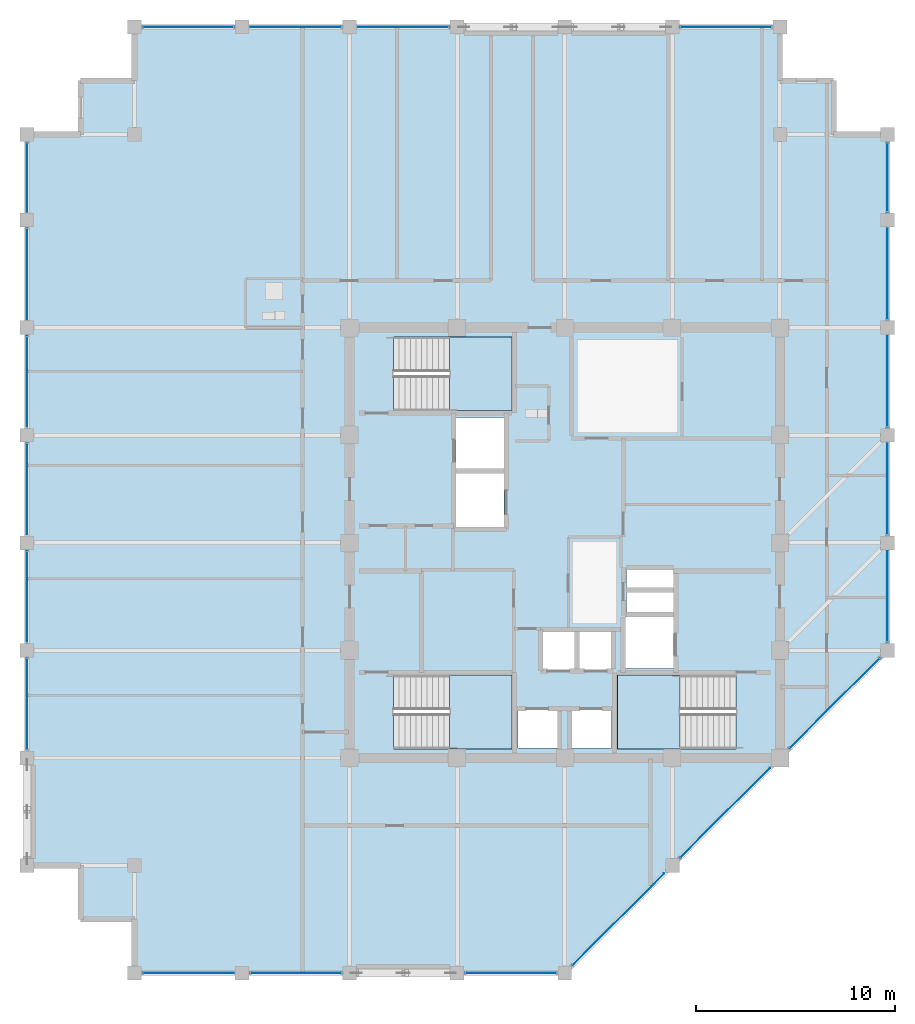
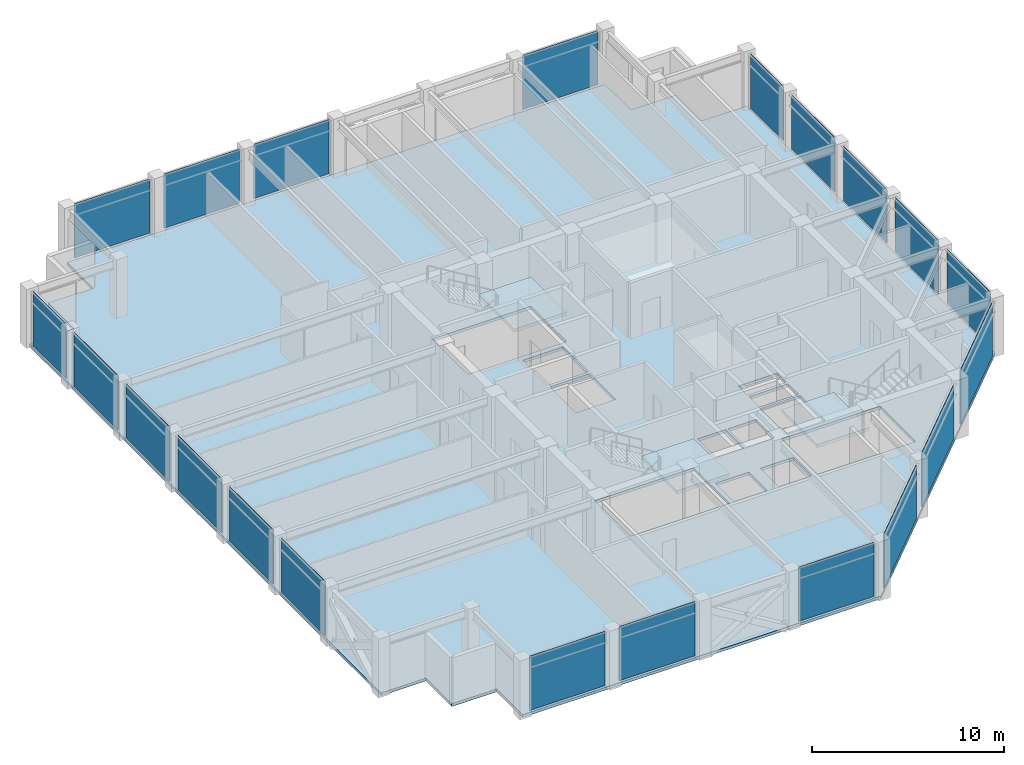
# One storey, part 23 of 31: 21 plates, 4 slabs, 10 elements without a shape of their own.
"""IFC4 building model written with IfcOpenShell, lengths in metres."""

from ifc_helpers import new_model, si_unit, direction, frame, frame_2d, origin, place, context, subcontext, project, spatial, polyline, rectangle, outline, extrude, material, layer, layer_set, type_object, element, aggregate, save


model = new_model("IFC4")

# Units and contexts
model_context = context("Model", 3, precision=1e-05, world=origin(), true_north=direction((0.0, 1.0)))
body_context = subcontext(model_context, "Body", "Model", "MODEL_VIEW")
ifc_project = project(units=[si_unit("LENGTHUNIT", "METRE"), si_unit("AREAUNIT", "SQUARE_METRE"), si_unit("VOLUMEUNIT", "CUBIC_METRE"), si_unit("PLANEANGLEUNIT", "RADIAN"), si_unit("MASSUNIT", "GRAM", prefix="KILO")], contexts=[model_context])

# Site, building, storey
site_placement = place(None, origin())
site = spatial("IfcSite", under=ifc_project, at=site_placement, CompositionType="ELEMENT")
building_placement = place(site_placement, origin())
building = spatial("IfcBuilding", under=site, at=building_placement, Name="Surkhivell Harbour Commons", CompositionType="ELEMENT")
storey_placement = place(building_placement, frame((0.0, 0.0, 285.0)))
storey = spatial("IfcBuildingStorey", under=building, at=storey_placement, Name="L74", CompositionType="ELEMENT", Elevation=285.0)

# Curtain wall, plates
ifc_material_1 = material(Name="Anodised pale-metal aluminium and insulated glazing", Category="aluminium")
ifc_layer_1 = layer(ifc_material_1, 0.175048828125)
ifc_layer_set_1 = layer_set([ifc_layer_1], Name="Anodised pale-metal aluminium and insulated glazing")
curtain_wall_type = type_object("IfcCurtainWallType", Name="CW-SYS-Z4", PredefinedType="NOTDEFINED", material=ifc_layer_set_1)
curtain_wall_1_placement = place(storey_placement, origin())
curtain_wall_1 = element("IfcCurtainWall", 1, at=curtain_wall_1_placement, inside=storey, type_object=curtain_wall_type, Name="L74 Curtain Wall CW-L74-E00S1", PredefinedType="NOTDEFINED")
ifc_material_2 = material(Name="Double-silver low-E laminated vision glass", Category="glass")
ifc_layer_2 = layer(ifc_material_2, 0.031982421875)
ifc_layer_set_2 = layer_set([ifc_layer_2], Name="Double-silver low-E laminated vision glass")
plate_type = type_object("IfcPlateType", Name="CWP-GLZ-32", PredefinedType="CURTAIN_PANEL", material=ifc_layer_set_2)
plate_1_placement = place(storey_placement, frame((-21.173095703125, -21.60009765625, 0.1298828125), z_axis=(0.0, 0.0, 1.0), x_axis=(1.0, 0.0, 0.0)))
plate_1 = element("IfcPlate", 2, at=plate_1_placement, type_object=plate_type, Name="CW-Z4 panel 1.1", PredefinedType="CURTAIN_PANEL", context=body_context, shape_type="SweptSolid", body=[
    extrude(rectangle(XDim=4.546142578125, YDim=0.031982421875, at=frame_2d((2.27294921875, 0.0))), origin(), (0.0, 0.0, 1.0), 3.440185546875),
])
plate_2_placement = place(storey_placement, frame((-15.77294921875, -21.60009765625, 0.1298828125), z_axis=(0.0, 0.0, 1.0), x_axis=(1.0, 0.0, 0.0)))
plate_2 = element("IfcPlate", 3, at=plate_2_placement, type_object=plate_type, Name="CW-Z4 panel 2.1", PredefinedType="CURTAIN_PANEL", context=body_context, shape_type="SweptSolid", body=[
    extrude(rectangle(XDim=4.5458984375, YDim=0.031982421875, at=frame_2d((2.27294921875, 0.0))), origin(), (0.0, 0.0, 1.0), 3.440185546875),
])
aggregate(curtain_wall_1, [plate_1, plate_2])

# Curtain wall, plate
curtain_wall_2_placement = place(storey_placement, origin())
curtain_wall_2 = element("IfcCurtainWall", 4, at=curtain_wall_2_placement, inside=storey, type_object=curtain_wall_type, Name="L74 Curtain Wall CW-L74-E00S2", PredefinedType="NOTDEFINED")
plate_3_placement = place(storey_placement, frame((-4.972900390625, -21.60009765625, 0.1298828125), z_axis=(0.0, 0.0, 1.0), x_axis=(1.0, 0.0, 0.0)))
plate_3 = element("IfcPlate", 5, at=plate_3_placement, type_object=plate_type, Name="CW-Z4 panel 1.1", PredefinedType="CURTAIN_PANEL", context=body_context, shape_type="SweptSolid", body=[
    extrude(rectangle(XDim=4.5458984375, YDim=0.031982421875, at=frame_2d((2.27294921875, 0.0))), origin(), (0.0, 0.0, 1.0), 3.440185546875),
])
aggregate(curtain_wall_2, [plate_3])

# Curtain wall, plates
curtain_wall_3_placement = place(storey_placement, origin())
curtain_wall_3 = element("IfcCurtainWall", 6, at=curtain_wall_3_placement, inside=storey, type_object=curtain_wall_type, Name="L74 Curtain Wall CW-L74-E01", PredefinedType="NOTDEFINED")
plate_4_placement = place(storey_placement, frame((0.404541015625, -21.1953125, 0.1298828125), z_axis=(0.0, 0.0, 1.0), x_axis=(0.707125583467, 0.707087978406, 0.0)))
plate_4 = element("IfcPlate", 7, at=plate_4_placement, type_object=plate_type, Name="CW-Z4 panel 1.1", PredefinedType="CURTAIN_PANEL", context=body_context, shape_type="SweptSolid", body=[
    extrude(rectangle(XDim=6.4921875, YDim=0.031982421875, at=frame_2d((3.24609375, 0.0))), origin(), (0.0, 0.0, 1.0), 3.440185546875),
])
plate_5_placement = place(storey_placement, frame((5.8046875, -15.79541015625, 0.1298828125), z_axis=(0.0, 0.0, 1.0), x_axis=(0.707106781187, 0.707106781187, 0.0)))
plate_5 = element("IfcPlate", 8, at=plate_5_placement, type_object=plate_type, Name="CW-Z4 panel 2.1", PredefinedType="CURTAIN_PANEL", context=body_context, shape_type="SweptSolid", body=[
    extrude(rectangle(XDim=6.350830078125, YDim=0.031982421875, at=frame_2d((3.17529296875, 0.0))), origin(), (0.0, 0.0, 1.0), 3.440185546875),
])
plate_6_placement = place(storey_placement, frame((11.3046875, -10.29541015625, 0.1298828125), z_axis=(0.0, 0.0, 1.0), x_axis=(0.707106781187, 0.707106781187, 0.0)))
plate_6 = element("IfcPlate", 9, at=plate_6_placement, type_object=plate_type, Name="CW-Z4 panel 3.1", PredefinedType="CURTAIN_PANEL", context=body_context, shape_type="SweptSolid", body=[
    extrude(rectangle(XDim=6.350830078125, YDim=0.031982421875, at=frame_2d((3.17529296875, 0.0))), origin(), (0.0, 0.0, 1.0), 3.440185546875),
])
aggregate(curtain_wall_3, [plate_4, plate_5, plate_6])

curtain_wall_4_placement = place(storey_placement, origin())
curtain_wall_4 = element("IfcCurtainWall", 10, at=curtain_wall_4_placement, inside=storey, type_object=curtain_wall_type, Name="L74 Curtain Wall CW-L74-E02", PredefinedType="NOTDEFINED")
plate_7_placement = place(storey_placement, frame((16.199951171875, -4.972900390625, 0.1298828125), z_axis=(0.0, 0.0, 1.0), x_axis=(0.0, 1.0, 0.0)))
plate_7 = element("IfcPlate", 11, at=plate_7_placement, type_object=plate_type, Name="CW-Z4 panel 1.1", PredefinedType="CURTAIN_PANEL", context=body_context, shape_type="SweptSolid", body=[
    extrude(rectangle(XDim=4.5458984375, YDim=0.031982421875, at=frame_2d((2.27294921875, 0.0))), origin(), (0.0, 0.0, 1.0), 3.440185546875),
])
plate_8_placement = place(storey_placement, frame((16.199951171875, 0.427001953125, 0.1298828125), z_axis=(0.0, 0.0, 1.0), x_axis=(0.0, 1.0, 0.0)))
plate_8 = element("IfcPlate", 12, at=plate_8_placement, type_object=plate_type, Name="CW-Z4 panel 2.1", PredefinedType="CURTAIN_PANEL", context=body_context, shape_type="SweptSolid", body=[
    extrude(rectangle(XDim=4.5458984375, YDim=0.031982421875, at=frame_2d((2.27294921875, 0.0))), origin(), (0.0, 0.0, 1.0), 3.440185546875),
])
plate_9_placement = place(storey_placement, frame((16.199951171875, 5.826904296875, 0.1298828125), z_axis=(0.0, 0.0, 1.0), x_axis=(0.0, 1.0, 0.0)))
plate_9 = element("IfcPlate", 13, at=plate_9_placement, type_object=plate_type, Name="CW-Z4 panel 3.1", PredefinedType="CURTAIN_PANEL", context=body_context, shape_type="SweptSolid", body=[
    extrude(rectangle(XDim=4.546142578125, YDim=0.031982421875, at=frame_2d((2.27294921875, 0.0))), origin(), (0.0, 0.0, 1.0), 3.440185546875),
])
plate_10_placement = place(storey_placement, frame((16.199951171875, 11.22705078125, 0.1298828125), z_axis=(0.0, 0.0, 1.0), x_axis=(0.0, 1.0, 0.0)))
plate_10 = element("IfcPlate", 14, at=plate_10_placement, type_object=plate_type, Name="CW-Z4 panel 4.1", PredefinedType="CURTAIN_PANEL", context=body_context, shape_type="SweptSolid", body=[
    extrude(rectangle(XDim=4.5458984375, YDim=0.031982421875, at=frame_2d((2.27294921875, 0.0))), origin(), (0.0, 0.0, 1.0), 3.440185546875),
])
plate_11_placement = place(storey_placement, frame((16.199951171875, 16.626953125, 0.1298828125), z_axis=(0.0, 0.0, 1.0), x_axis=(0.0, 1.0, 0.0)))
plate_11 = element("IfcPlate", 15, at=plate_11_placement, type_object=plate_type, Name="CW-Z4 panel 5.1", PredefinedType="CURTAIN_PANEL", context=body_context, shape_type="SweptSolid", body=[
    extrude(rectangle(XDim=3.446044921875, YDim=0.031982421875, at=frame_2d((1.72314453125, 0.0))), origin(), (0.0, 0.0, 1.0), 3.440185546875),
])
aggregate(curtain_wall_4, [plate_7, plate_8, plate_9, plate_10, plate_11])

# Curtain wall, plate
curtain_wall_5_placement = place(storey_placement, origin())
curtain_wall_5 = element("IfcCurtainWall", 16, at=curtain_wall_5_placement, inside=storey, type_object=curtain_wall_type, Name="L74 Curtain Wall CW-L74-E07S1", PredefinedType="NOTDEFINED")
plate_12_placement = place(storey_placement, frame((10.373046875, 25.89990234375, 0.1298828125), z_axis=(0.0, 0.0, 1.0), x_axis=(-1.0, 0.0, 0.0)))
plate_12 = element("IfcPlate", 17, at=plate_12_placement, type_object=plate_type, Name="CW-Z4 panel 1.1", PredefinedType="CURTAIN_PANEL", context=body_context, shape_type="SweptSolid", body=[
    extrude(rectangle(XDim=4.546142578125, YDim=0.031982421875, at=frame_2d((2.27294921875, 0.0))), origin(), (0.0, 0.0, 1.0), 3.440185546875),
])
aggregate(curtain_wall_5, [plate_12])

# Curtain wall, plates
curtain_wall_6_placement = place(storey_placement, origin())
curtain_wall_6 = element("IfcCurtainWall", 18, at=curtain_wall_6_placement, inside=storey, type_object=curtain_wall_type, Name="L74 Curtain Wall CW-L74-E07S2", PredefinedType="NOTDEFINED")
plate_13_placement = place(storey_placement, frame((-5.826904296875, 25.89990234375, 0.1298828125), z_axis=(0.0, 0.0, 1.0), x_axis=(-1.0, 0.0, 0.0)))
plate_13 = element("IfcPlate", 19, at=plate_13_placement, type_object=plate_type, Name="CW-Z4 panel 1.1", PredefinedType="CURTAIN_PANEL", context=body_context, shape_type="SweptSolid", body=[
    extrude(rectangle(XDim=4.546142578125, YDim=0.031982421875, at=frame_2d((2.27294921875, 0.0))), origin(), (0.0, 0.0, 1.0), 3.440185546875),
])
plate_14_placement = place(storey_placement, frame((-11.22705078125, 25.89990234375, 0.1298828125), z_axis=(0.0, 0.0, 1.0), x_axis=(-1.0, 0.0, 0.0)))
plate_14 = element("IfcPlate", 20, at=plate_14_placement, type_object=plate_type, Name="CW-Z4 panel 2.1", PredefinedType="CURTAIN_PANEL", context=body_context, shape_type="SweptSolid", body=[
    extrude(rectangle(XDim=4.5458984375, YDim=0.031982421875, at=frame_2d((2.27294921875, 0.0))), origin(), (0.0, 0.0, 1.0), 3.440185546875),
])
plate_15_placement = place(storey_placement, frame((-16.626953125, 25.89990234375, 0.1298828125), z_axis=(0.0, 0.0, 1.0), x_axis=(-1.0, 0.0, 0.0)))
plate_15 = element("IfcPlate", 21, at=plate_15_placement, type_object=plate_type, Name="CW-Z4 panel 3.1", PredefinedType="CURTAIN_PANEL", context=body_context, shape_type="SweptSolid", body=[
    extrude(rectangle(XDim=4.546142578125, YDim=0.031982421875, at=frame_2d((2.27294921875, 0.0))), origin(), (0.0, 0.0, 1.0), 3.440185546875),
])
aggregate(curtain_wall_6, [plate_13, plate_14, plate_15])

curtain_wall_7_placement = place(storey_placement, origin())
curtain_wall_7 = element("IfcCurtainWall", 22, at=curtain_wall_7_placement, inside=storey, type_object=curtain_wall_type, Name="L74 Curtain Wall CW-L74-E12S1", PredefinedType="NOTDEFINED")
plate_16_placement = place(storey_placement, frame((-27.0, 20.072998046875, 0.1298828125), z_axis=(0.0, 0.0, 1.0), x_axis=(0.0, -1.0, 0.0)))
plate_16 = element("IfcPlate", 23, at=plate_16_placement, type_object=plate_type, Name="CW-Z4 panel 1.1", PredefinedType="CURTAIN_PANEL", context=body_context, shape_type="SweptSolid", body=[
    extrude(rectangle(XDim=3.446044921875, YDim=0.031982421875, at=frame_2d((1.72314453125, 0.0))), origin(), (0.0, 0.0, 1.0), 3.440185546875),
])
plate_17_placement = place(storey_placement, frame((-27.0, 15.77294921875, 0.1298828125), z_axis=(0.0, 0.0, 1.0), x_axis=(0.0, -1.0, 0.0)))
plate_17 = element("IfcPlate", 24, at=plate_17_placement, type_object=plate_type, Name="CW-Z4 panel 2.1", PredefinedType="CURTAIN_PANEL", context=body_context, shape_type="SweptSolid", body=[
    extrude(rectangle(XDim=4.5458984375, YDim=0.031982421875, at=frame_2d((2.27294921875, 0.0))), origin(), (0.0, 0.0, 1.0), 3.440185546875),
])
plate_18_placement = place(storey_placement, frame((-27.0, 10.373046875, 0.1298828125), z_axis=(0.0, 0.0, 1.0), x_axis=(0.0, -1.0, 0.0)))
plate_18 = element("IfcPlate", 25, at=plate_18_placement, type_object=plate_type, Name="CW-Z4 panel 3.1", PredefinedType="CURTAIN_PANEL", context=body_context, shape_type="SweptSolid", body=[
    extrude(rectangle(XDim=4.546142578125, YDim=0.031982421875, at=frame_2d((2.27294921875, 0.0))), origin(), (0.0, 0.0, 1.0), 3.440185546875),
])
plate_19_placement = place(storey_placement, frame((-27.0, 4.972900390625, 0.1298828125), z_axis=(0.0, 0.0, 1.0), x_axis=(0.0, -1.0, 0.0)))
plate_19 = element("IfcPlate", 26, at=plate_19_placement, type_object=plate_type, Name="CW-Z4 panel 4.1", PredefinedType="CURTAIN_PANEL", context=body_context, shape_type="SweptSolid", body=[
    extrude(rectangle(XDim=4.5458984375, YDim=0.031982421875, at=frame_2d((2.27294921875, 0.0))), origin(), (0.0, 0.0, 1.0), 3.440185546875),
])
plate_20_placement = place(storey_placement, frame((-27.0, -0.427001953125, 0.1298828125), z_axis=(0.0, 0.0, 1.0), x_axis=(0.0, -1.0, 0.0)))
plate_20 = element("IfcPlate", 27, at=plate_20_placement, type_object=plate_type, Name="CW-Z4 panel 5.1", PredefinedType="CURTAIN_PANEL", context=body_context, shape_type="SweptSolid", body=[
    extrude(rectangle(XDim=4.5458984375, YDim=0.031982421875, at=frame_2d((2.27294921875, 0.0))), origin(), (0.0, 0.0, 1.0), 3.440185546875),
])
plate_21_placement = place(storey_placement, frame((-27.0, -5.826904296875, 0.1298828125), z_axis=(0.0, 0.0, 1.0), x_axis=(0.0, -1.0, 0.0)))
plate_21 = element("IfcPlate", 28, at=plate_21_placement, type_object=plate_type, Name="CW-Z4 panel 6.1", PredefinedType="CURTAIN_PANEL", context=body_context, shape_type="SweptSolid", body=[
    extrude(rectangle(XDim=4.546142578125, YDim=0.031982421875, at=frame_2d((2.27294921875, 0.0))), origin(), (0.0, 0.0, 1.0), 3.440185546875),
])
aggregate(curtain_wall_7, [plate_16, plate_17, plate_18, plate_19, plate_20, plate_21])

# Stair, slab
ifc_material_3 = material(Name="Precast concrete C45/55", Category="concrete")
stair_type = type_object("IfcStairType", Name="STR-DL-375", PredefinedType="HALF_TURN_STAIR", material=ifc_material_3)
stair_1_placement = place(storey_placement, origin())
stair_1 = element("IfcStair", 29, at=stair_1_placement, inside=storey, type_object=stair_type, Name="L74 Core Exit Stair ST1", PredefinedType="HALF_TURN_STAIR")
ifc_material_4 = material(Name="Reinforced concrete C45/55", Category="concrete")
ifc_layer_3 = layer(ifc_material_4, 0.199951171875)
ifc_layer_set_3 = layer_set([ifc_layer_3], Name="Reinforced concrete C45/55")
slab_type_1 = type_object("IfcSlabType", Name="SLB-ST-LND200", PredefinedType="LANDING", material=ifc_layer_set_3)
slab_1_placement = place(storey_placement, frame((0.0, 0.0, 1.675048828125)))
slab_1 = element("IfcSlab", 30, at=slab_1_placement, type_object=slab_type_1, Name="ST1 landing 1", PredefinedType="LANDING", context=body_context, shape_type="SweptSolid", body=[
    extrude(outline(polyline([(-5.7900390625, 6.639892578125), (-2.639892578125, 6.639892578125), (-2.639892578125, 10.340087890625), (-5.7900390625, 10.340087890625), (-5.7900390625, 6.639892578125)])), origin(), (0.0, 0.0, 1.0), 0.199951171875),
])
aggregate(stair_1, [slab_1])

stair_2_placement = place(storey_placement, origin())
stair_2 = element("IfcStair", 31, at=stair_2_placement, inside=storey, type_object=stair_type, Name="L74 Core Exit Stair ST2", PredefinedType="HALF_TURN_STAIR")
slab_2_placement = place(storey_placement, frame((0.0, 0.0, 1.675048828125)))
slab_2 = element("IfcSlab", 32, at=slab_2_placement, type_object=slab_type_1, Name="ST2 landing 1", PredefinedType="LANDING", context=body_context, shape_type="SweptSolid", body=[
    extrude(outline(polyline([(5.7900390625, -6.639892578125), (2.639892578125, -6.639892578125), (2.639892578125, -10.340087890625), (5.7900390625, -10.340087890625), (5.7900390625, -6.639892578125)])), origin(), (0.0, 0.0, 1.0), 0.199951171875),
])
aggregate(stair_2, [slab_2])

stair_3_placement = place(storey_placement, origin())
stair_3 = element("IfcStair", 33, at=stair_3_placement, inside=storey, type_object=stair_type, Name="L74 Core Exit Stair ST3", PredefinedType="HALF_TURN_STAIR")
slab_3_placement = place(storey_placement, frame((0.0, 0.0, 1.675048828125)))
slab_3 = element("IfcSlab", 34, at=slab_3_placement, type_object=slab_type_1, Name="ST3 landing 1", PredefinedType="LANDING", context=body_context, shape_type="SweptSolid", body=[
    extrude(outline(polyline([(-5.7900390625, -10.340087890625), (-2.639892578125, -10.340087890625), (-2.639892578125, -6.639892578125), (-5.7900390625, -6.639892578125), (-5.7900390625, -10.340087890625)])), origin(), (0.0, 0.0, 1.0), 0.199951171875),
])
aggregate(stair_3, [slab_3])

# Slab
ifc_material_5 = material(Name="Concrete C45/55", Category="concrete")
ifc_layer_4 = layer(ifc_material_5, 0.179931640625)
ifc_layer_set_4 = layer_set([ifc_layer_4], Name="Concrete C45/55")
slab_type_2 = type_object("IfcSlabType", Name="SLB-TYP-180", PredefinedType="FLOOR", material=ifc_layer_set_4)
slab_4_placement = place(storey_placement, frame((0.0, 0.0, -0.179931640625)))
element("IfcSlab", 35, at=slab_4_placement, inside=storey, type_object=slab_type_2, Name="L74 Structural Floor Slab", PredefinedType="FLOOR", context=body_context, shape_type="SweptSolid", body=[
    extrude(outline(polyline([(-21.60009765625, -21.60009765625), (0.0, -21.60009765625), (16.199951171875, -5.39990234375), (16.199951171875, 20.5), (13.5, 20.5), (13.5, 23.199951171875), (10.800048828125, 23.199951171875), (10.800048828125, 25.89990234375), (-21.60009765625, 25.89990234375), (-21.60009765625, 23.199951171875), (-24.300048828125, 23.199951171875), (-24.300048828125, 20.5), (-27.0, 20.5), (-27.0, -16.199951171875), (-24.300048828125, -16.199951171875), (-24.300048828125, -18.89990234375), (-21.60009765625, -18.89990234375), (-21.60009765625, -21.60009765625)]), holes=[polyline([(-8.590087890625, 6.639892578125), (-2.639892578125, 6.639892578125), (-2.639892578125, 10.340087890625), (-8.590087890625, 10.340087890625), (-8.590087890625, 6.639892578125)]), polyline([(8.590087890625, -6.639892578125), (2.639892578125, -6.639892578125), (2.639892578125, -10.340087890625), (8.590087890625, -10.340087890625), (8.590087890625, -6.639892578125)]), polyline([(-8.590087890625, -10.340087890625), (-2.639892578125, -10.340087890625), (-2.639892578125, -6.639892578125), (-8.590087890625, -6.639892578125), (-8.590087890625, -10.340087890625)]), polyline([(-1.14990234375, -6.35009765625), (0.550048828125, -6.35009765625), (0.550048828125, -4.449951171875), (-1.14990234375, -4.449951171875), (-1.14990234375, -6.35009765625)]), polyline([(0.679931640625, -6.35009765625), (2.3798828125, -6.35009765625), (2.3798828125, -4.449951171875), (0.679931640625, -4.449951171875), (0.679931640625, -6.35009765625)]), polyline([(-2.35009765625, -10.300048828125), (-0.35009765625, -10.300048828125), (-0.35009765625, -8.39990234375), (-2.35009765625, -8.39990234375), (-2.35009765625, -10.300048828125)]), polyline([(0.35009765625, -10.300048828125), (2.35009765625, -10.300048828125), (2.35009765625, -8.39990234375), (0.35009765625, -8.39990234375), (0.35009765625, -10.300048828125)]), polyline([(-5.449951171875, 3.699951171875), (-3.050048828125, 3.699951171875), (-3.050048828125, 6.300048828125), (-5.449951171875, 6.300048828125), (-5.449951171875, 3.699951171875)]), polyline([(3.050048828125, -6.300048828125), (5.449951171875, -6.300048828125), (5.449951171875, -3.699951171875), (3.050048828125, -3.699951171875), (3.050048828125, -6.300048828125)]), polyline([(-5.449951171875, 0.800048828125), (-3.050048828125, 0.800048828125), (-3.050048828125, 3.5), (-5.449951171875, 3.5), (-5.449951171875, 0.800048828125)]), polyline([(3.10009765625, -3.550048828125), (5.449951171875, -3.550048828125), (5.449951171875, -2.47998046875), (3.10009765625, -2.47998046875), (3.10009765625, -3.550048828125)]), polyline([(3.10009765625, -2.280029296875), (5.449951171875, -2.280029296875), (5.449951171875, -1.35009765625), (3.10009765625, -1.35009765625), (3.10009765625, -2.280029296875)])]), origin(), (0.0, 0.0, 1.0), 0.179931640625),
])

save(model, "model.ifc")
